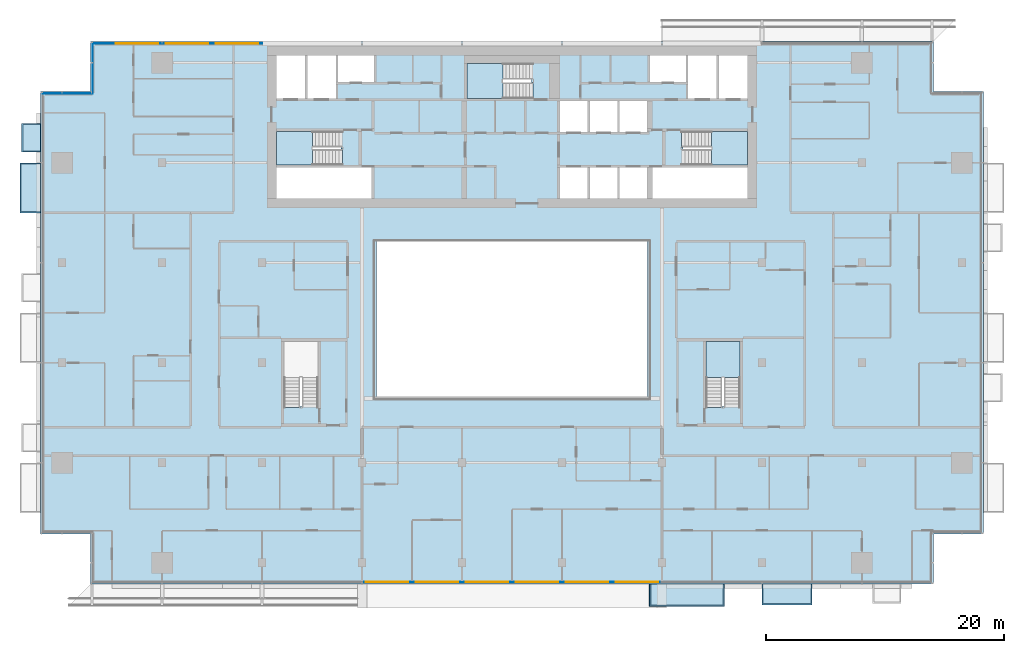
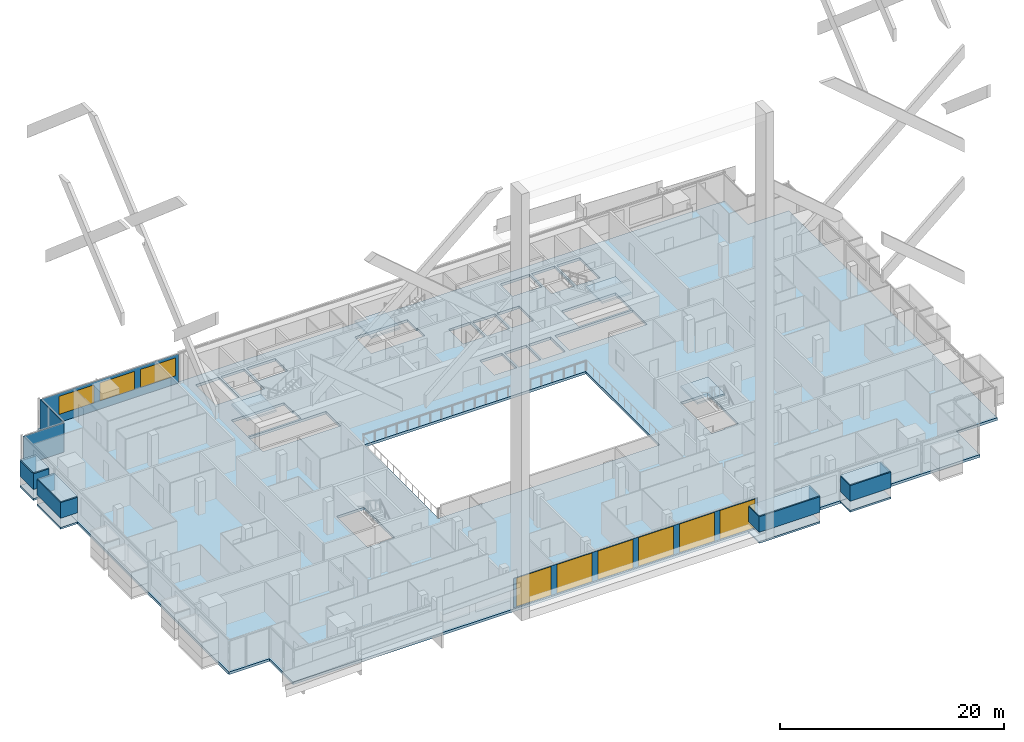
# One storey, part 15 of 31: 12 plates, 9 slabs, 9 windows, 9 openings, 8 elements without a shape of their own.
"""IFC4 building model written with IfcOpenShell, lengths in metres."""

import ifcopenshell
import ifcopenshell.guid

model = None  # the IFC model being written
_history = None  # IfcOwnerHistory: only IFC2X3 demands one
_inside = {}  # id of a spatial element -> (the spatial element, [elements in it])
_under = {}  # id of a project, library or spatial element -> (it, [spatial elements below it])
_declared = {}  # id of a project -> (the project, [libraries it declares])
_typed = {}  # id of a type object -> (the type object, [elements of that type])
_made_of = {}  # id of a material, layer set ... -> (it, [elements and type objects made of it])


def new_model(schema):
    """Start an empty IFC model of exactly this schema.

    Asked for "IFC4X3", IfcOpenShell would pick the latest addendum, in which some entities
    have other attributes; the version numbers below select the first issue.
    IFC2X3 requires an IfcOwnerHistory on every rooted entity: one is made here for all.
    """
    global model, _history
    if schema == "IFC4X3":
        model = ifcopenshell.file(schema_version=(4, 3, 0, 0))
    else:
        model = ifcopenshell.file(schema=schema)
    _inside.clear()
    _under.clear()
    _declared.clear()
    _typed.clear()
    _made_of.clear()
    _history = None
    if model.schema == "IFC2X3":
        org = make("IfcOrganization", Name="unknown")
        user = make(
            "IfcPersonAndOrganization",
            ThePerson=make("IfcPerson", FamilyName="unknown"),
            TheOrganization=org,
        )
        app = make(
            "IfcApplication",
            ApplicationDeveloper=org,
            Version="unknown",
            ApplicationFullName="unknown",
            ApplicationIdentifier="unknown",
        )
        _history = make(
            "IfcOwnerHistory",
            OwningUser=user,
            OwningApplication=app,
            ChangeAction="ADDED",
            CreationDate=0,
        )
    return model


def make(cls, **values):
    """One entity of the class cls with the attributes given. An attribute that is None is left unset."""
    return model.create_entity(
        cls, **{name: value for name, value in values.items() if value is not None}
    )


def rooted(cls, **values):
    """An entity with a GlobalId (a new one), such as an element, a storey or a relation."""
    return make(cls, GlobalId=ifcopenshell.guid.new(), OwnerHistory=_history, **values)


def si_unit(unit_type, name, prefix=None):
    """IfcSIUnit, for example si_unit("LENGTHUNIT", "METRE", prefix="MILLI")."""
    return make("IfcSIUnit", UnitType=unit_type, Prefix=prefix, Name=name)


def assignment(units):
    """IfcUnitAssignment: the units of a project."""
    return None if units is None else make("IfcUnitAssignment", Units=units)


def point(xyz):
    """IfcCartesianPoint."""
    return None if xyz is None else make("IfcCartesianPoint", Coordinates=xyz)


def direction(xyz):
    """IfcDirection."""
    return None if xyz is None else make("IfcDirection", DirectionRatios=xyz)


def frame(location, z_axis=None, x_axis=None):
    """IfcAxis2Placement3D, a coordinate frame: its origin and axes. An axis left out is left unset."""
    return make(
        "IfcAxis2Placement3D",
        Location=point(location),
        Axis=direction(z_axis),
        RefDirection=direction(x_axis),
    )


def frame_2d(location, x_axis=None):
    """IfcAxis2Placement2D, a coordinate frame in the plane: its origin and x axis."""
    return make(
        "IfcAxis2Placement2D", Location=point(location), RefDirection=direction(x_axis)
    )


def origin():
    """The frame at (0, 0, 0) with its axes left unset."""
    return frame((0.0, 0.0, 0.0))


def place(relative_to, where):
    """IfcLocalPlacement: puts the frame where relative to a parent placement (None: the world)."""
    return make(
        "IfcLocalPlacement", PlacementRelTo=relative_to, RelativePlacement=where
    )


def context(
    kind, dimensions, precision=None, world=None, true_north=None, identifier=None
):
    """IfcGeometricRepresentationContext, for example the 3D "Model" context."""
    return make(
        "IfcGeometricRepresentationContext",
        ContextIdentifier=identifier,
        ContextType=kind,
        CoordinateSpaceDimension=dimensions,
        Precision=precision,
        WorldCoordinateSystem=world,
        TrueNorth=true_north,
    )


def subcontext(parent, identifier, kind, view, scale=None):
    """IfcGeometricRepresentationSubContext, for example "Body" below "Model"."""
    return make(
        "IfcGeometricRepresentationSubContext",
        ContextIdentifier=identifier,
        ContextType=kind,
        ParentContext=parent,
        TargetScale=scale,
        TargetView=view,
    )


def project(units=None, contexts=None):
    """IfcProject with its units and contexts."""
    return rooted(
        "IfcProject",
        Name="project",
        RepresentationContexts=contexts,
        UnitsInContext=assignment(units),
    )


def spatial(cls, under=None, at=None, **own):
    """A site, building, storey or space (cls), placed at a placement, below another one or the project."""
    s = rooted(cls, ObjectPlacement=at, **own)
    if under is not None:
        _under.setdefault(under.id(), (under, []))[1].append(s)
    return s


def polyline(points):
    """IfcPolyline through the points."""
    return make("IfcPolyline", Points=[point(p) for p in points])


def profile(cls, at=None, kind="AREA", **sizes):
    """A parametric profile (cls). Its sizes go by their IFC names, for example OverallWidth=200.0."""
    return make(cls, ProfileType=kind, Position=at, **sizes)


def rectangle(**sizes):
    """IfcRectangleProfileDef."""
    return profile("IfcRectangleProfileDef", **sizes)


def outline(outer, holes=None, kind="AREA"):
    """IfcArbitraryClosedProfileDef: a profile drawn as a closed curve; with holes, ...WithVoids."""
    if holes is None:
        return make("IfcArbitraryClosedProfileDef", ProfileType=kind, OuterCurve=outer)
    return make(
        "IfcArbitraryProfileDefWithVoids",
        ProfileType=kind,
        OuterCurve=outer,
        InnerCurves=holes,
    )


def extrude(swept, where, along, depth):
    """IfcExtrudedAreaSolid: the profile swept, set in the frame where, extruded along a direction by depth."""
    return make(
        "IfcExtrudedAreaSolid",
        SweptArea=swept,
        Position=where,
        ExtrudedDirection=direction(along),
        Depth=depth,
    )


def shape(context_of_items, identifier, shape_type, items):
    """IfcShapeRepresentation: the items that make up one representation, for example the "Body"."""
    return make(
        "IfcShapeRepresentation",
        ContextOfItems=context_of_items,
        RepresentationIdentifier=identifier,
        RepresentationType=shape_type,
        Items=items,
    )


def material(Name=None, Category=None):
    """IfcMaterial."""
    return make("IfcMaterial", Name=Name, Category=Category)


def layer(
    of_material, thickness, ventilated=None, Name=None, Category=None, Priority=None
):
    """IfcMaterialLayer: one layer of a wall or slab, of a material (None: an air gap)."""
    return make(
        "IfcMaterialLayer",
        Material=of_material,
        LayerThickness=thickness,
        IsVentilated=ventilated,
        Name=Name,
        Category=Category,
        Priority=Priority,
    )


def layer_set(layers, Name=None):
    """IfcMaterialLayerSet."""
    return make("IfcMaterialLayerSet", MaterialLayers=layers, LayerSetName=Name)


def made_of(thing, what):
    """Note that an element or type object is made of a material, layer set ...; save() writes the relation."""
    if what is not None:
        _made_of.setdefault(what.id(), (what, []))[1].append(thing)
    return thing


def type_object(cls, material=None, **own):
    """A type object (cls), such as IfcWallType, which elements share."""
    return made_of(rooted(cls, **own), material)


def element(
    cls,
    number,
    at=None,
    inside=None,
    cuts=None,
    type_object=None,
    material=None,
    context=None,
    identifier="Body",
    shape_type=None,
    held_by="IfcProductDefinitionShape",
    body=None,
    shapes=None,
    **own,
):
    """One element of the class cls, such as IfcWall. Its Tag is "e" and its number.

    at: its placement. inside: the storey or other place that contains it. cuts: it is an
    opening in that element (IfcRelVoidsElement). A single representation is given by context,
    identifier, shape_type and body (its items); several are given by shapes. held_by: the class
    of the entity that holds the representations. save() writes the other relations.
    """
    e = rooted(cls, Tag="e%d" % number, ObjectPlacement=at, **own)
    if body is not None:
        shapes = [shape(context, identifier, shape_type, body)]
    if shapes is not None:
        e.Representation = make(held_by, Representations=shapes)
    if inside is not None:
        _inside.setdefault(inside.id(), (inside, []))[1].append(e)
    if cuts is not None:
        rooted(
            "IfcRelVoidsElement", RelatingBuildingElement=cuts, RelatedOpeningElement=e
        )
    if type_object is not None:
        _typed.setdefault(type_object.id(), (type_object, []))[1].append(e)
    return made_of(e, material)


def fill(opening, filler):
    """IfcRelFillsElement: the door or window that sits in an opening."""
    return rooted(
        "IfcRelFillsElement",
        RelatingOpeningElement=opening,
        RelatedBuildingElement=filler,
    )


def aggregate(whole, parts):
    """IfcRelAggregates: a whole, such as a stair, and the parts it consists of."""
    return rooted("IfcRelAggregates", RelatingObject=whole, RelatedObjects=parts)


def save(model, path):
    """Write the relations noted so far, then the file.

    IfcRelAggregates (storeys below a building ...), IfcRelContainedInSpatialStructure (elements
    in a storey), IfcRelDefinesByType, IfcRelAssociatesMaterial and IfcRelDeclares: one each for
    every whole, place, type object, material and project.
    """
    for whole, parts in _under.values():
        aggregate(whole, parts)
    for where, things in _inside.values():
        rooted(
            "IfcRelContainedInSpatialStructure",
            RelatedElements=things,
            RelatingStructure=where,
        )
    for kind, things in _typed.values():
        rooted("IfcRelDefinesByType", RelatedObjects=things, RelatingType=kind)
    for what, things in _made_of.values():
        rooted("IfcRelAssociatesMaterial", RelatedObjects=things, RelatingMaterial=what)
    for by, libraries in _declared.values():
        rooted("IfcRelDeclares", RelatingContext=by, RelatedDefinitions=libraries)
    model.write(path)


model = new_model("IFC4")

# Units and contexts
model_context = context("Model", 3, precision=1e-05, world=origin(), true_north=direction((0.0, 1.0)))
body_context = subcontext(model_context, "Body", "Model", "MODEL_VIEW")
ifc_project = project(units=[si_unit("LENGTHUNIT", "METRE"), si_unit("AREAUNIT", "SQUARE_METRE"), si_unit("VOLUMEUNIT", "CUBIC_METRE"), si_unit("PLANEANGLEUNIT", "RADIAN"), si_unit("MASSUNIT", "GRAM", prefix="KILO")], contexts=[model_context])

# Site, building, storey
site_placement = place(None, origin())
site = spatial("IfcSite", under=ifc_project, at=site_placement, CompositionType="ELEMENT")
building_placement = place(site_placement, origin())
building = spatial("IfcBuilding", under=site, at=building_placement, Name="Saffron Gate Tower", CompositionType="ELEMENT")
storey_placement = place(building_placement, frame((0.0, 0.0, 147.449951171875)))
storey = spatial("IfcBuildingStorey", under=building, at=storey_placement, Name="L35", CompositionType="ELEMENT", Elevation=147.449951171875)

# Curtain wall, plate, openings, windows
ifc_material_1 = material(Name="Aluminium, bronze anodised", Category="aluminium")
curtain_wall_type_1 = type_object("IfcCurtainWallType", Name="CWS1 curtain wall front facade", PredefinedType="NOTDEFINED", material=ifc_material_1)
curtain_wall_1_placement = place(storey_placement, origin())
curtain_wall_1 = element("IfcCurtainWall", 1, at=curtain_wall_1_placement, inside=storey, type_object=curtain_wall_type_1, Name="CWS1 run 1", PredefinedType="NOTDEFINED")
ifc_material_2 = material(Name="Clear low-iron laminated glass", Category="glass")
ifc_layer_1 = layer(ifc_material_2, 0.028076171875)
ifc_layer_set_1 = layer_set([ifc_layer_1], Name="CWS1 clear glass")
plate_type_1 = type_object("IfcPlateType", Name="CWS1 clear glass", PredefinedType="CURTAIN_PANEL", material=ifc_layer_set_1)
plate_1_placement = place(storey_placement, frame((75.030029296875, 30.174072265625, 0.0), z_axis=(0.0, 0.0, 1.0), x_axis=(1.0, 0.0, 0.0)))
plate_1 = element("IfcPlate", 2, at=plate_1_placement, type_object=plate_type_1, Name="CWS1 clear glass panel", PredefinedType="CURTAIN_PANEL", context=body_context, shape_type="SweptSolid", body=[
    extrude(rectangle(XDim=25.139892578125, YDim=0.028076171875, at=frame_2d((12.56982421875, 0.0))), origin(), (0.0, 0.0, 1.0), 3.199951171875),
])
opening_1_placement = place(plate_1_placement, frame((0.27001953125, 0.0, 0.050048828125)))
opening_1 = element("IfcOpeningElement", 3, at=opening_1_placement, cuts=plate_1, Name="Opening WA", PredefinedType="OPENING", context=body_context, shape_type="SweptSolid", body=[
    extrude(rectangle(XDim=3.60009765625, YDim=3.10009765625, at=frame_2d((1.800048828125, 1.550048828125))), frame((0.0, 0.02392578125, 0.0), z_axis=(0.0, -1.0, 0.0), x_axis=(1.0, 0.0, 0.0)), (0.0, 0.0, 1.0), 0.048095703125),
])
opening_2_placement = place(plate_1_placement, frame((4.469970703125, 0.0, 0.050048828125)))
opening_2 = element("IfcOpeningElement", 4, at=opening_2_placement, cuts=plate_1, Name="Opening WA", PredefinedType="OPENING", context=body_context, shape_type="SweptSolid", body=[
    extrude(rectangle(XDim=3.60009765625, YDim=3.10009765625, at=frame_2d((1.800048828125, 1.550048828125))), frame((0.0, 0.02392578125, 0.0), z_axis=(0.0, -1.0, 0.0), x_axis=(1.0, 0.0, 0.0)), (0.0, 0.0, 1.0), 0.048095703125),
])
opening_3_placement = place(plate_1_placement, frame((8.669921875, 0.0, 0.050048828125)))
opening_3 = element("IfcOpeningElement", 5, at=opening_3_placement, cuts=plate_1, Name="Opening WA", PredefinedType="OPENING", context=body_context, shape_type="SweptSolid", body=[
    extrude(rectangle(XDim=3.60009765625, YDim=3.10009765625, at=frame_2d((1.800048828125, 1.550048828125))), frame((0.0, 0.02392578125, 0.0), z_axis=(0.0, -1.0, 0.0), x_axis=(1.0, 0.0, 0.0)), (0.0, 0.0, 1.0), 0.048095703125),
])
opening_4_placement = place(plate_1_placement, frame((12.8701171875, 0.0, 0.050048828125)))
opening_4 = element("IfcOpeningElement", 6, at=opening_4_placement, cuts=plate_1, Name="Opening WA", PredefinedType="OPENING", context=body_context, shape_type="SweptSolid", body=[
    extrude(rectangle(XDim=3.60009765625, YDim=3.10009765625, at=frame_2d((1.800048828125, 1.550048828125))), frame((0.0, 0.02392578125, 0.0), z_axis=(0.0, -1.0, 0.0), x_axis=(1.0, 0.0, 0.0)), (0.0, 0.0, 1.0), 0.048095703125),
])
opening_5_placement = place(plate_1_placement, frame((17.070068359375, 0.0, 0.050048828125)))
opening_5 = element("IfcOpeningElement", 7, at=opening_5_placement, cuts=plate_1, Name="Opening WA", PredefinedType="OPENING", context=body_context, shape_type="SweptSolid", body=[
    extrude(rectangle(XDim=3.60009765625, YDim=3.10009765625, at=frame_2d((1.800048828125, 1.550048828125))), frame((0.0, 0.02392578125, 0.0), z_axis=(0.0, -1.0, 0.0), x_axis=(1.0, 0.0, 0.0)), (0.0, 0.0, 1.0), 0.048095703125),
])
opening_6_placement = place(plate_1_placement, frame((21.27001953125, 0.0, 0.050048828125)))
opening_6 = element("IfcOpeningElement", 8, at=opening_6_placement, cuts=plate_1, Name="Opening WA", PredefinedType="OPENING", context=body_context, shape_type="SweptSolid", body=[
    extrude(rectangle(XDim=3.60009765625, YDim=3.10009765625, at=frame_2d((1.800048828125, 1.550048828125))), frame((0.0, 0.02392578125, 0.0), z_axis=(0.0, -1.0, 0.0), x_axis=(1.0, 0.0, 0.0)), (0.0, 0.0, 1.0), 0.048095703125),
])
ifc_material_3 = material(Name="Clear low-iron laminated glass in bronze frame", Category="glass")
ifc_layer_2 = layer(ifc_material_3, 0.06005859375)
ifc_layer_set_2 = layer_set([ifc_layer_2], Name="WA operable atrium unit 3600x3100")
window_type_1 = type_object("IfcWindowType", Name="WA operable atrium unit 3600x3100", PartitioningType="DOUBLE_PANEL_HORIZONTAL", PredefinedType="WINDOW", material=ifc_layer_set_2)
window_1_placement = place(opening_1_placement, origin())
window_1 = element("IfcWindow", 9, at=window_1_placement, type_object=window_type_1, Name="WA operable atrium unit", OverallHeight=3.10009765625, OverallWidth=3.60009765625, PartitioningType="SINGLE_PANEL", PredefinedType="WINDOW", context=body_context, shape_type="SweptSolid", body=[
    extrude(rectangle(XDim=3.60009765625, YDim=3.10009765625, at=frame_2d((1.800048828125, 1.550048828125))), frame((0.0, 0.013671875, 0.0), z_axis=(0.0, -1.0, 0.0), x_axis=(1.0, 0.0, 0.0)), (0.0, 0.0, 1.0), 0.027587890625),
])
fill(opening_1, window_1)
window_2_placement = place(opening_2_placement, origin())
window_2 = element("IfcWindow", 10, at=window_2_placement, type_object=window_type_1, Name="WA operable atrium unit", OverallHeight=3.10009765625, OverallWidth=3.60009765625, PartitioningType="SINGLE_PANEL", PredefinedType="WINDOW", context=body_context, shape_type="SweptSolid", body=[
    extrude(rectangle(XDim=3.60009765625, YDim=3.10009765625, at=frame_2d((1.800048828125, 1.550048828125))), frame((0.0, 0.013671875, 0.0), z_axis=(0.0, -1.0, 0.0), x_axis=(1.0, 0.0, 0.0)), (0.0, 0.0, 1.0), 0.027587890625),
])
fill(opening_2, window_2)
window_3_placement = place(opening_3_placement, origin())
window_3 = element("IfcWindow", 11, at=window_3_placement, type_object=window_type_1, Name="WA operable atrium unit", OverallHeight=3.10009765625, OverallWidth=3.60009765625, PartitioningType="SINGLE_PANEL", PredefinedType="WINDOW", context=body_context, shape_type="SweptSolid", body=[
    extrude(rectangle(XDim=3.60009765625, YDim=3.10009765625, at=frame_2d((1.800048828125, 1.550048828125))), frame((0.0, 0.013671875, 0.0), z_axis=(0.0, -1.0, 0.0), x_axis=(1.0, 0.0, 0.0)), (0.0, 0.0, 1.0), 0.027587890625),
])
fill(opening_3, window_3)
window_4_placement = place(opening_4_placement, origin())
window_4 = element("IfcWindow", 12, at=window_4_placement, type_object=window_type_1, Name="WA operable atrium unit", OverallHeight=3.10009765625, OverallWidth=3.60009765625, PartitioningType="SINGLE_PANEL", PredefinedType="WINDOW", context=body_context, shape_type="SweptSolid", body=[
    extrude(rectangle(XDim=3.60009765625, YDim=3.10009765625, at=frame_2d((1.800048828125, 1.550048828125))), frame((0.0, 0.013671875, 0.0), z_axis=(0.0, -1.0, 0.0), x_axis=(1.0, 0.0, 0.0)), (0.0, 0.0, 1.0), 0.027587890625),
])
fill(opening_4, window_4)
window_5_placement = place(opening_5_placement, origin())
window_5 = element("IfcWindow", 13, at=window_5_placement, type_object=window_type_1, Name="WA operable atrium unit", OverallHeight=3.10009765625, OverallWidth=3.60009765625, PartitioningType="SINGLE_PANEL", PredefinedType="WINDOW", context=body_context, shape_type="SweptSolid", body=[
    extrude(rectangle(XDim=3.60009765625, YDim=3.10009765625, at=frame_2d((1.800048828125, 1.550048828125))), frame((0.0, 0.013671875, 0.0), z_axis=(0.0, -1.0, 0.0), x_axis=(1.0, 0.0, 0.0)), (0.0, 0.0, 1.0), 0.027587890625),
])
fill(opening_5, window_5)
window_6_placement = place(opening_6_placement, origin())
window_6 = element("IfcWindow", 14, at=window_6_placement, type_object=window_type_1, Name="WA operable atrium unit", OverallHeight=3.10009765625, OverallWidth=3.60009765625, PartitioningType="SINGLE_PANEL", PredefinedType="WINDOW", context=body_context, shape_type="SweptSolid", body=[
    extrude(rectangle(XDim=3.60009765625, YDim=3.10009765625, at=frame_2d((1.800048828125, 1.550048828125))), frame((0.0, 0.013671875, 0.0), z_axis=(0.0, -1.0, 0.0), x_axis=(1.0, 0.0, 0.0)), (0.0, 0.0, 1.0), 0.027587890625),
])
fill(opening_6, window_6)
aggregate(curtain_wall_1, [plate_1, window_1, window_2, window_3, window_4, window_5, window_6])

curtain_wall_type_2 = type_object("IfcCurtainWallType", Name="CWS3 curtain wall rear facade", PredefinedType="NOTDEFINED", material=ifc_material_1)
curtain_wall_2_placement = place(storey_placement, origin())
curtain_wall_2 = element("IfcCurtainWall", 15, at=curtain_wall_2_placement, inside=storey, type_object=curtain_wall_type_2, Name="CWS3 run 7", PredefinedType="NOTDEFINED")
ifc_material_4 = material(Name="Fritted grey-tinted laminated glass", Category="glass")
ifc_layer_3 = layer(ifc_material_4, 0.028076171875)
ifc_layer_set_3 = layer_set([ifc_layer_3], Name="CWS3 fixed glass")
plate_type_2 = type_object("IfcPlateType", Name="CWS3 fixed glass", PredefinedType="CURTAIN_PANEL", material=ifc_layer_set_3)
plate_2_placement = place(storey_placement, frame((66.635009765625, 75.426025390625, 0.0), z_axis=(0.0, 0.0, 1.0), x_axis=(-1.0, 0.0, 0.0)))
plate_2 = element("IfcPlate", 16, at=plate_2_placement, type_object=plate_type_2, Name="CWS3 glass panel", PredefinedType="CURTAIN_PANEL", context=body_context, shape_type="SweptSolid", body=[
    extrude(rectangle(XDim=14.2470703125, YDim=0.028076171875, at=frame_2d((7.12353515625, 0.0))), origin(), (0.0, 0.0, 1.0), 3.199951171875),
])
opening_7_placement = place(plate_2_placement, frame((0.3349609375, 0.0, 0.89990234375)))
opening_7 = element("IfcOpeningElement", 17, at=opening_7_placement, cuts=plate_2, Name="Opening W1", PredefinedType="OPENING", context=body_context, shape_type="SweptSolid", body=[
    extrude(rectangle(XDim=3.60009765625, YDim=1.949951171875, at=frame_2d((1.800048828125, 0.97509765625))), frame((0.0, 0.02392578125, 0.0), z_axis=(0.0, -1.0, 0.0), x_axis=(1.0, 0.0, 0.0)), (0.0, 0.0, 1.0), 0.048095703125),
])
opening_8_placement = place(plate_2_placement, frame((4.534912109375, 0.0, 0.89990234375)))
opening_8 = element("IfcOpeningElement", 18, at=opening_8_placement, cuts=plate_2, Name="Opening W1", PredefinedType="OPENING", context=body_context, shape_type="SweptSolid", body=[
    extrude(rectangle(XDim=3.60009765625, YDim=1.949951171875, at=frame_2d((1.800048828125, 0.97509765625))), frame((0.0, 0.02392578125, 0.0), z_axis=(0.0, -1.0, 0.0), x_axis=(1.0, 0.0, 0.0)), (0.0, 0.0, 1.0), 0.048095703125),
])
opening_9_placement = place(plate_2_placement, frame((8.735107421875, 0.0, 0.89990234375)))
opening_9 = element("IfcOpeningElement", 19, at=opening_9_placement, cuts=plate_2, Name="Opening W1", PredefinedType="OPENING", context=body_context, shape_type="SweptSolid", body=[
    extrude(rectangle(XDim=3.60009765625, YDim=1.949951171875, at=frame_2d((1.800048828125, 0.97509765625))), frame((0.0, 0.02392578125, 0.0), z_axis=(0.0, -1.0, 0.0), x_axis=(1.0, 0.0, 0.0)), (0.0, 0.0, 1.0), 0.048095703125),
])
ifc_material_5 = material(Name="Fritted bronze-tinted laminated glass in bronze frame", Category="glass")
ifc_layer_4 = layer(ifc_material_5, 0.06005859375)
ifc_layer_set_4 = layer_set([ifc_layer_4], Name="W1 operable panel 3600x1950")
window_type_2 = type_object("IfcWindowType", Name="W1 operable panel 3600x1950", PartitioningType="DOUBLE_PANEL_HORIZONTAL", PredefinedType="WINDOW", material=ifc_layer_set_4)
window_7_placement = place(opening_7_placement, origin())
window_7 = element("IfcWindow", 20, at=window_7_placement, type_object=window_type_2, Name="W1 operable panel", OverallHeight=1.949951171875, OverallWidth=3.60009765625, PartitioningType="SINGLE_PANEL", PredefinedType="WINDOW", context=body_context, shape_type="SweptSolid", body=[
    extrude(rectangle(XDim=3.60009765625, YDim=1.949951171875, at=frame_2d((1.800048828125, 0.97509765625))), frame((0.0, 0.013671875, 0.0), z_axis=(0.0, -1.0, 0.0), x_axis=(1.0, 0.0, 0.0)), (0.0, 0.0, 1.0), 0.027587890625),
])
fill(opening_7, window_7)
window_8_placement = place(opening_8_placement, origin())
window_8 = element("IfcWindow", 21, at=window_8_placement, type_object=window_type_2, Name="W1 operable panel", OverallHeight=1.949951171875, OverallWidth=3.60009765625, PartitioningType="SINGLE_PANEL", PredefinedType="WINDOW", context=body_context, shape_type="SweptSolid", body=[
    extrude(rectangle(XDim=3.60009765625, YDim=1.949951171875, at=frame_2d((1.800048828125, 0.97509765625))), frame((0.0, 0.013671875, 0.0), z_axis=(0.0, -1.0, 0.0), x_axis=(1.0, 0.0, 0.0)), (0.0, 0.0, 1.0), 0.027587890625),
])
fill(opening_8, window_8)
window_9_placement = place(opening_9_placement, origin())
window_9 = element("IfcWindow", 22, at=window_9_placement, type_object=window_type_2, Name="W1 operable panel", OverallHeight=1.949951171875, OverallWidth=3.60009765625, PartitioningType="SINGLE_PANEL", PredefinedType="WINDOW", context=body_context, shape_type="SweptSolid", body=[
    extrude(rectangle(XDim=3.60009765625, YDim=1.949951171875, at=frame_2d((1.800048828125, 0.97509765625))), frame((0.0, 0.013671875, 0.0), z_axis=(0.0, -1.0, 0.0), x_axis=(1.0, 0.0, 0.0)), (0.0, 0.0, 1.0), 0.027587890625),
])
fill(opening_9, window_9)
aggregate(curtain_wall_2, [plate_2, window_7, window_8, window_9])

# Curtain wall, plate
curtain_wall_type_3 = type_object("IfcCurtainWallType", Name="CWS4 curtain wall corner returns", PredefinedType="NOTDEFINED", material=ifc_material_1)
curtain_wall_3_placement = place(storey_placement, origin())
curtain_wall_3 = element("IfcCurtainWall", 23, at=curtain_wall_3_placement, inside=storey, type_object=curtain_wall_type_3, Name="CWS4 run 8", PredefinedType="NOTDEFINED")
ifc_material_6 = material(Name="Fritted bronze-tinted laminated glass", Category="glass")
ifc_layer_5 = layer(ifc_material_6, 0.028076171875)
ifc_layer_set_5 = layer_set([ifc_layer_5], Name="CWS4 fixed glass")
plate_type_3 = type_object("IfcPlateType", Name="CWS4 fixed glass", PredefinedType="CURTAIN_PANEL", material=ifc_layer_set_5)
plate_3_placement = place(storey_placement, frame((52.3740234375, 75.412109375, 0.0), z_axis=(0.0, 0.0, 1.0), x_axis=(0.0, -1.0, 0.0)))
plate_3 = element("IfcPlate", 24, at=plate_3_placement, type_object=plate_type_3, Name="CWS4 glass panel", PredefinedType="CURTAIN_PANEL", context=body_context, shape_type="SweptSolid", body=[
    extrude(rectangle(XDim=4.172119140625, YDim=0.028076171875, at=frame_2d((2.0859375, 0.0))), origin(), (0.0, 0.0, 1.0), 3.199951171875),
])
aggregate(curtain_wall_3, [plate_3])

curtain_wall_4_placement = place(storey_placement, origin())
curtain_wall_4 = element("IfcCurtainWall", 25, at=curtain_wall_4_placement, inside=storey, type_object=curtain_wall_type_3, Name="CWS4 run 9", PredefinedType="NOTDEFINED")
plate_4_placement = place(storey_placement, frame((52.360107421875, 71.22607421875, 0.0), z_axis=(0.0, 0.0, 1.0), x_axis=(-1.0, 0.0, 0.0)))
plate_4 = element("IfcPlate", 26, at=plate_4_placement, type_object=plate_type_3, Name="CWS4 glass panel", PredefinedType="CURTAIN_PANEL", context=body_context, shape_type="SweptSolid", body=[
    extrude(rectangle(XDim=4.172119140625, YDim=0.028076171875, at=frame_2d((2.0859375, 0.0))), origin(), (0.0, 0.0, 1.0), 3.199951171875),
])
aggregate(curtain_wall_4, [plate_4])

# Slab
ifc_material_7 = material(Name="Concrete C40", Category="concrete")
ifc_layer_6 = layer(ifc_material_7, 0.280029296875)
ifc_layer_set_6 = layer_set([ifc_layer_6], Name="S2 FLOOR SLAB 280 CONCRETE C40")
slab_type_1 = type_object("IfcSlabType", Name="S2 FLOOR SLAB 280 CONCRETE C40", PredefinedType="FLOOR", material=ifc_layer_set_6)
slab_1_placement = place(storey_placement, frame((0.0, 0.0, -0.280029296875)))
element("IfcSlab", 27, at=slab_1_placement, inside=storey, type_object=slab_type_1, Name="S2 FLOOR SLAB", PredefinedType="FLOOR", context=body_context, shape_type="SweptSolid", body=[
    extrude(outline(polyline([(48.0, 34.199951171875), (52.199951171875, 34.199951171875), (52.199951171875, 30.0), (123.0, 30.0), (123.0, 34.199951171875), (127.199951171875, 34.199951171875), (127.199951171875, 71.39990234375), (123.0, 71.39990234375), (123.0, 75.60009765625), (52.199951171875, 75.60009765625), (52.199951171875, 71.39990234375), (48.0, 71.39990234375), (48.0, 34.199951171875)]), holes=[polyline([(67.800048828125, 62.39990234375), (67.800048828125, 65.0), (75.800048828125, 65.0), (75.800048828125, 62.39990234375), (67.800048828125, 62.39990234375)]), polyline([(67.800048828125, 65.199951171875), (67.800048828125, 68.050048828125), (73.25, 68.050048828125), (73.25, 66.550048828125), (73.34912109375, 66.550048828125), (73.34912109375, 65.199951171875), (67.800048828125, 65.199951171875)]), polyline([(67.800048828125, 70.800048828125), (67.800048828125, 74.39990234375), (70.199951171875, 74.39990234375), (70.199951171875, 70.800048828125), (67.800048828125, 70.800048828125)]), polyline([(68.449951171875, 44.85107421875), (68.449951171875, 50.39990234375), (71.300048828125, 50.39990234375), (71.300048828125, 44.949951171875), (69.800048828125, 44.949951171875), (69.800048828125, 44.85107421875), (68.449951171875, 44.85107421875)]), polyline([(70.39990234375, 70.800048828125), (70.39990234375, 74.39990234375), (72.800048828125, 74.39990234375), (72.800048828125, 70.800048828125), (70.39990234375, 70.800048828125)]), polyline([(73.0, 72.199951171875), (73.0, 74.39990234375), (76.0, 74.39990234375), (76.0, 72.199951171875), (73.0, 72.199951171875)]), polyline([(76.199951171875, 45.60009765625), (76.199951171875, 58.800048828125), (99.0, 58.800048828125), (99.0, 45.60009765625), (76.199951171875, 45.60009765625)]), polyline([(83.800048828125, 70.800048828125), (83.800048828125, 73.75), (89.25, 73.75), (89.25, 72.14990234375), (89.34912109375, 72.14990234375), (89.34912109375, 70.800048828125), (83.800048828125, 70.800048828125)]), polyline([(91.64990234375, 62.39990234375), (91.64990234375, 65.0), (93.949951171875, 65.0), (93.949951171875, 62.39990234375), (91.64990234375, 62.39990234375)]), polyline([(91.64990234375, 68.0), (91.64990234375, 70.60009765625), (93.949951171875, 70.60009765625), (93.949951171875, 68.0), (91.64990234375, 68.0)]), polyline([(94.14990234375, 62.39990234375), (94.14990234375, 65.0), (96.449951171875, 65.0), (96.449951171875, 62.39990234375), (94.14990234375, 62.39990234375)]), polyline([(94.14990234375, 68.0), (94.14990234375, 70.60009765625), (96.449951171875, 70.60009765625), (96.449951171875, 68.0), (94.14990234375, 68.0)]), polyline([(96.64990234375, 62.39990234375), (96.64990234375, 65.0), (98.949951171875, 65.0), (98.949951171875, 62.39990234375), (96.64990234375, 62.39990234375)]), polyline([(96.64990234375, 68.0), (96.64990234375, 70.60009765625), (98.949951171875, 70.60009765625), (98.949951171875, 68.0), (96.64990234375, 68.0)]), polyline([(99.199951171875, 72.199951171875), (99.199951171875, 74.39990234375), (102.199951171875, 74.39990234375), (102.199951171875, 72.199951171875), (99.199951171875, 72.199951171875)]), polyline([(99.39990234375, 62.39990234375), (99.39990234375, 65.0), (107.39990234375, 65.0), (107.39990234375, 62.39990234375), (99.39990234375, 62.39990234375)]), polyline([(101.85107421875, 66.699951171875), (101.85107421875, 68.050048828125), (107.39990234375, 68.050048828125), (107.39990234375, 65.199951171875), (101.949951171875, 65.199951171875), (101.949951171875, 66.699951171875), (101.85107421875, 66.699951171875)]), polyline([(102.39990234375, 70.800048828125), (102.39990234375, 74.39990234375), (104.800048828125, 74.39990234375), (104.800048828125, 70.800048828125), (102.39990234375, 70.800048828125)]), polyline([(103.89990234375, 44.85107421875), (103.89990234375, 50.39990234375), (106.75, 50.39990234375), (106.75, 44.949951171875), (105.25, 44.949951171875), (105.25, 44.85107421875), (103.89990234375, 44.85107421875)]), polyline([(105.0, 70.800048828125), (105.0, 74.39990234375), (107.39990234375, 74.39990234375), (107.39990234375, 70.800048828125), (105.0, 70.800048828125)])]), origin(), (0.0, 0.0, 1.0), 0.280029296875),
])

# Stair, slab
stair_type = type_object("IfcStairType", Name="ST7 Stair 1350 wide, 20 risers of 180", PredefinedType="HALF_TURN_STAIR", material=ifc_material_7)
stair_1_placement = place(storey_placement, origin())
stair_1 = element("IfcStair", 28, at=stair_1_placement, inside=storey, type_object=stair_type, Name="L35 Exit stair A", PredefinedType="HALF_TURN_STAIR")
ifc_layer_7 = layer(ifc_material_7, 0.199951171875)
ifc_layer_set_7 = layer_set([ifc_layer_7], Name="SL1 Stair landing 200")
slab_type_2 = type_object("IfcSlabType", Name="SL1 Stair landing 200", PredefinedType="LANDING", material=ifc_layer_set_7)
slab_2_placement = place(storey_placement, frame((0.0, 0.0, 1.60009765625)))
slab_2 = element("IfcSlab", 29, at=slab_2_placement, type_object=slab_type_2, Name="ST-A landing 1", PredefinedType="LANDING", context=body_context, shape_type="SweptSolid", body=[
    extrude(outline(polyline([(70.830078125, 68.050048828125), (67.800048828125, 68.050048828125), (67.800048828125, 65.199951171875), (70.830078125, 65.199951171875), (70.830078125, 68.050048828125)])), origin(), (0.0, 0.0, 1.0), 0.199951171875),
])
aggregate(stair_1, [slab_2])

stair_2_placement = place(storey_placement, origin())
stair_2 = element("IfcStair", 30, at=stair_2_placement, inside=storey, type_object=stair_type, Name="L35 Exit stair B", PredefinedType="HALF_TURN_STAIR")
slab_3_placement = place(storey_placement, frame((0.0, 0.0, 1.60009765625)))
slab_3 = element("IfcSlab", 31, at=slab_3_placement, type_object=slab_type_2, Name="ST-B landing 1", PredefinedType="LANDING", context=body_context, shape_type="SweptSolid", body=[
    extrude(outline(polyline([(104.3701171875, 65.199951171875), (107.39990234375, 65.199951171875), (107.39990234375, 68.050048828125), (104.3701171875, 68.050048828125), (104.3701171875, 65.199951171875)])), origin(), (0.0, 0.0, 1.0), 0.199951171875),
])
aggregate(stair_2, [slab_3])

stair_3_placement = place(storey_placement, origin())
stair_3 = element("IfcStair", 32, at=stair_3_placement, inside=storey, type_object=stair_type, Name="L35 Exit stair C", PredefinedType="HALF_TURN_STAIR")
slab_4_placement = place(storey_placement, frame((0.0, 0.0, 1.60009765625)))
slab_4 = element("IfcSlab", 33, at=slab_4_placement, type_object=slab_type_2, Name="ST-C landing 1", PredefinedType="LANDING", context=body_context, shape_type="SweptSolid", body=[
    extrude(outline(polyline([(86.830078125, 73.75), (83.800048828125, 73.75), (83.800048828125, 70.800048828125), (86.830078125, 70.800048828125), (86.830078125, 73.75)])), origin(), (0.0, 0.0, 1.0), 0.199951171875),
])
aggregate(stair_3, [slab_4])

stair_4_placement = place(storey_placement, origin())
stair_4 = element("IfcStair", 34, at=stair_4_placement, inside=storey, type_object=stair_type, Name="L35 Exit stair E", PredefinedType="HALF_TURN_STAIR")
slab_5_placement = place(storey_placement, frame((0.0, 0.0, 1.60009765625)))
slab_5 = element("IfcSlab", 35, at=slab_5_placement, type_object=slab_type_2, Name="ST-E landing 1", PredefinedType="LANDING", context=body_context, shape_type="SweptSolid", body=[
    extrude(outline(polyline([(106.75, 47.3701171875), (106.75, 50.39990234375), (103.89990234375, 50.39990234375), (103.89990234375, 47.3701171875), (106.75, 47.3701171875)])), origin(), (0.0, 0.0, 1.0), 0.199951171875),
])
aggregate(stair_4, [slab_5])

# Slabs
ifc_material_8 = material(Name="Timber deck on bronze frame", Category="wood")
ifc_layer_8 = layer(ifc_material_8, 0.199951171875)
ifc_layer_set_8 = layer_set([ifc_layer_8], Name="WB1 box floor")
slab_type_3 = type_object("IfcSlabType", Name="WB1 box floor", PredefinedType="FLOOR", material=ifc_layer_set_8)
slab_6_placement = place(storey_placement, frame((0.0, 0.0, -0.199951171875)))
element("IfcSlab", 36, at=slab_6_placement, inside=storey, type_object=slab_type_3, Name="WINDOW BOX floor", PredefinedType="FLOOR", context=body_context, shape_type="SweptSolid", body=[
    extrude(outline(polyline([(99.14990234375, 30.0), (105.449951171875, 30.0), (105.449951171875, 28.133056640625), (99.14990234375, 28.133056640625), (99.14990234375, 30.0)])), origin(), (0.0, 0.0, 1.0), 0.199951171875),
])
slab_7_placement = place(storey_placement, frame((0.0, 0.0, -0.199951171875)))
element("IfcSlab", 37, at=slab_7_placement, inside=storey, type_object=slab_type_3, Name="WINDOW BOX floor", PredefinedType="FLOOR", context=body_context, shape_type="SweptSolid", body=[
    extrude(outline(polyline([(108.60009765625, 30.0), (112.800048828125, 30.0), (112.800048828125, 28.26708984375), (108.60009765625, 28.26708984375), (108.60009765625, 30.0)])), origin(), (0.0, 0.0, 1.0), 0.199951171875),
])
slab_8_placement = place(storey_placement, frame((0.0, 0.0, -0.199951171875)))
element("IfcSlab", 38, at=slab_8_placement, inside=storey, type_object=slab_type_3, Name="WINDOW BOX floor", PredefinedType="FLOOR", context=body_context, shape_type="SweptSolid", body=[
    extrude(outline(polyline([(48.0, 68.699951171875), (48.0, 66.300048828125), (46.39990234375, 66.300048828125), (46.39990234375, 68.699951171875), (48.0, 68.699951171875)])), origin(), (0.0, 0.0, 1.0), 0.199951171875),
])
slab_9_placement = place(storey_placement, frame((0.0, 0.0, -0.199951171875)))
element("IfcSlab", 39, at=slab_9_placement, inside=storey, type_object=slab_type_3, Name="WINDOW BOX floor", PredefinedType="FLOOR", context=body_context, shape_type="SweptSolid", body=[
    extrude(outline(polyline([(48.0, 65.39990234375), (48.0, 61.199951171875), (46.26708984375, 61.199951171875), (46.26708984375, 65.39990234375), (48.0, 65.39990234375)])), origin(), (0.0, 0.0, 1.0), 0.199951171875),
])

# Plates
ifc_layer_9 = layer(ifc_material_1, 0.1201171875)
ifc_layer_set_9 = layer_set([ifc_layer_9], Name="WB2 box roof")
plate_type_4 = type_object("IfcPlateType", Name="WB2 box roof", PredefinedType="SHEET", material=ifc_layer_set_9)
plate_5_placement = place(storey_placement, frame((0.0, 0.0, 2.699951171875)))
element("IfcPlate", 40, at=plate_5_placement, inside=storey, type_object=plate_type_4, Name="WINDOW BOX roof", PredefinedType="SHEET", context=body_context, shape_type="SweptSolid", body=[
    extrude(outline(polyline([(99.14990234375, 30.0), (105.449951171875, 30.0), (105.449951171875, 28.133056640625), (99.14990234375, 28.133056640625), (99.14990234375, 30.0)])), origin(), (0.0, 0.0, 1.0), 0.1201171875),
])
plate_6_placement = place(storey_placement, frame((0.0, 0.0, 2.699951171875)))
element("IfcPlate", 41, at=plate_6_placement, inside=storey, type_object=plate_type_4, Name="WINDOW BOX roof", PredefinedType="SHEET", context=body_context, shape_type="SweptSolid", body=[
    extrude(outline(polyline([(108.60009765625, 30.0), (112.800048828125, 30.0), (112.800048828125, 28.26708984375), (108.60009765625, 28.26708984375), (108.60009765625, 30.0)])), origin(), (0.0, 0.0, 1.0), 0.1201171875),
])
plate_7_placement = place(storey_placement, frame((0.0, 0.0, 2.699951171875)))
element("IfcPlate", 42, at=plate_7_placement, inside=storey, type_object=plate_type_4, Name="WINDOW BOX roof", PredefinedType="SHEET", context=body_context, shape_type="SweptSolid", body=[
    extrude(outline(polyline([(48.0, 68.699951171875), (48.0, 66.300048828125), (46.39990234375, 66.300048828125), (46.39990234375, 68.699951171875), (48.0, 68.699951171875)])), origin(), (0.0, 0.0, 1.0), 0.1201171875),
])
plate_8_placement = place(storey_placement, frame((0.0, 0.0, 2.699951171875)))
element("IfcPlate", 43, at=plate_8_placement, inside=storey, type_object=plate_type_4, Name="WINDOW BOX roof", PredefinedType="SHEET", context=body_context, shape_type="SweptSolid", body=[
    extrude(outline(polyline([(48.0, 65.39990234375), (48.0, 61.199951171875), (46.26708984375, 61.199951171875), (46.26708984375, 65.39990234375), (48.0, 65.39990234375)])), origin(), (0.0, 0.0, 1.0), 0.1201171875),
])
ifc_layer_10 = layer(ifc_material_2, 0.10009765625)
ifc_layer_set_10 = layer_set([ifc_layer_10], Name="WB6 box glazing")
plate_type_5 = type_object("IfcPlateType", Name="WB6 box glazing", PredefinedType="SHEET", material=ifc_layer_set_10)
plate_9_placement = place(storey_placement, frame((0.0, 0.0, 1.0)))
element("IfcPlate", 44, at=plate_9_placement, inside=storey, type_object=plate_type_5, Name="WINDOW BOX glazing", PredefinedType="SHEET", context=body_context, shape_type="SweptSolid", body=[
    extrude(outline(polyline([(99.14990234375, 30.0), (99.25, 30.0), (99.25, 28.23291015625), (105.35009765625, 28.23291015625), (105.35009765625, 30.0), (105.449951171875, 30.0), (105.449951171875, 28.133056640625), (99.14990234375, 28.133056640625), (99.14990234375, 30.0)])), origin(), (0.0, 0.0, 1.0), 1.699951171875),
])
plate_10_placement = place(storey_placement, frame((0.0, 0.0, 1.0)))
element("IfcPlate", 45, at=plate_10_placement, inside=storey, type_object=plate_type_5, Name="WINDOW BOX glazing", PredefinedType="SHEET", context=body_context, shape_type="SweptSolid", body=[
    extrude(outline(polyline([(108.60009765625, 30.0), (108.699951171875, 30.0), (108.699951171875, 28.366943359375), (112.699951171875, 28.366943359375), (112.699951171875, 30.0), (112.800048828125, 30.0), (112.800048828125, 28.26708984375), (108.60009765625, 28.26708984375), (108.60009765625, 30.0)])), origin(), (0.0, 0.0, 1.0), 1.699951171875),
])
plate_11_placement = place(storey_placement, frame((0.0, 0.0, 1.0)))
element("IfcPlate", 46, at=plate_11_placement, inside=storey, type_object=plate_type_5, Name="WINDOW BOX glazing", PredefinedType="SHEET", context=body_context, shape_type="SweptSolid", body=[
    extrude(outline(polyline([(48.0, 68.699951171875), (48.0, 68.60009765625), (46.5, 68.60009765625), (46.5, 66.39990234375), (48.0, 66.39990234375), (48.0, 66.300048828125), (46.39990234375, 66.300048828125), (46.39990234375, 68.699951171875), (48.0, 68.699951171875)])), origin(), (0.0, 0.0, 1.0), 1.699951171875),
])
plate_12_placement = place(storey_placement, frame((0.0, 0.0, 1.0)))
element("IfcPlate", 47, at=plate_12_placement, inside=storey, type_object=plate_type_5, Name="WINDOW BOX glazing", PredefinedType="SHEET", context=body_context, shape_type="SweptSolid", body=[
    extrude(outline(polyline([(48.0, 65.39990234375), (48.0, 65.300048828125), (46.366943359375, 65.300048828125), (46.366943359375, 61.300048828125), (48.0, 61.300048828125), (48.0, 61.199951171875), (46.26708984375, 61.199951171875), (46.26708984375, 65.39990234375), (48.0, 65.39990234375)])), origin(), (0.0, 0.0, 1.0), 1.699951171875),
])

save(model, "model.ifc")
